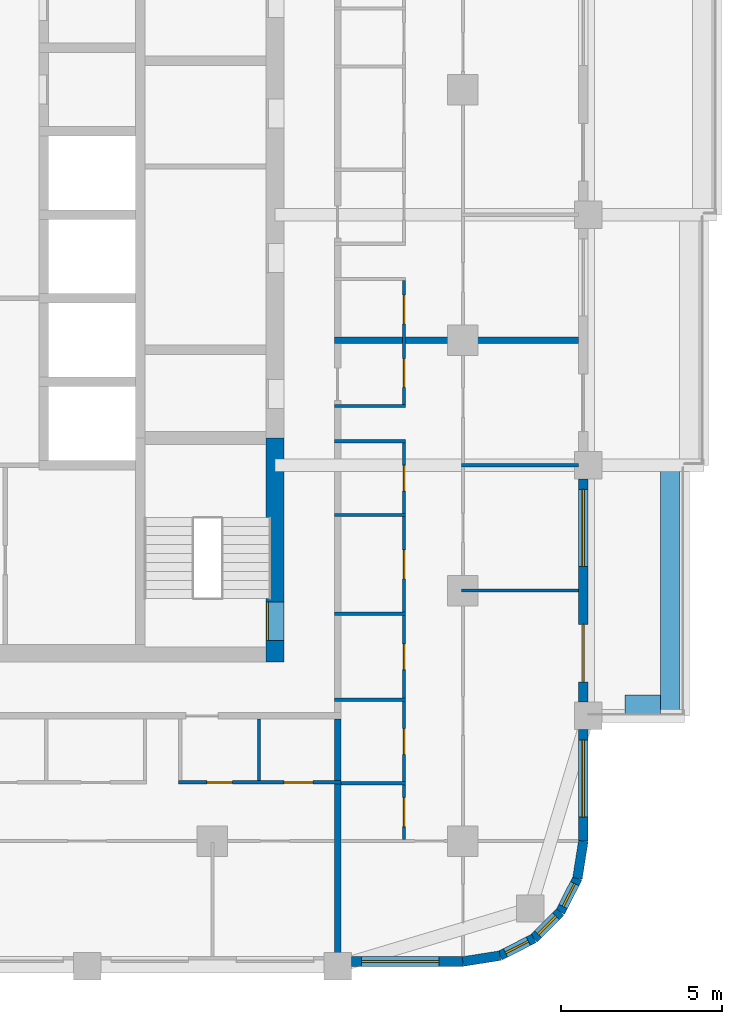
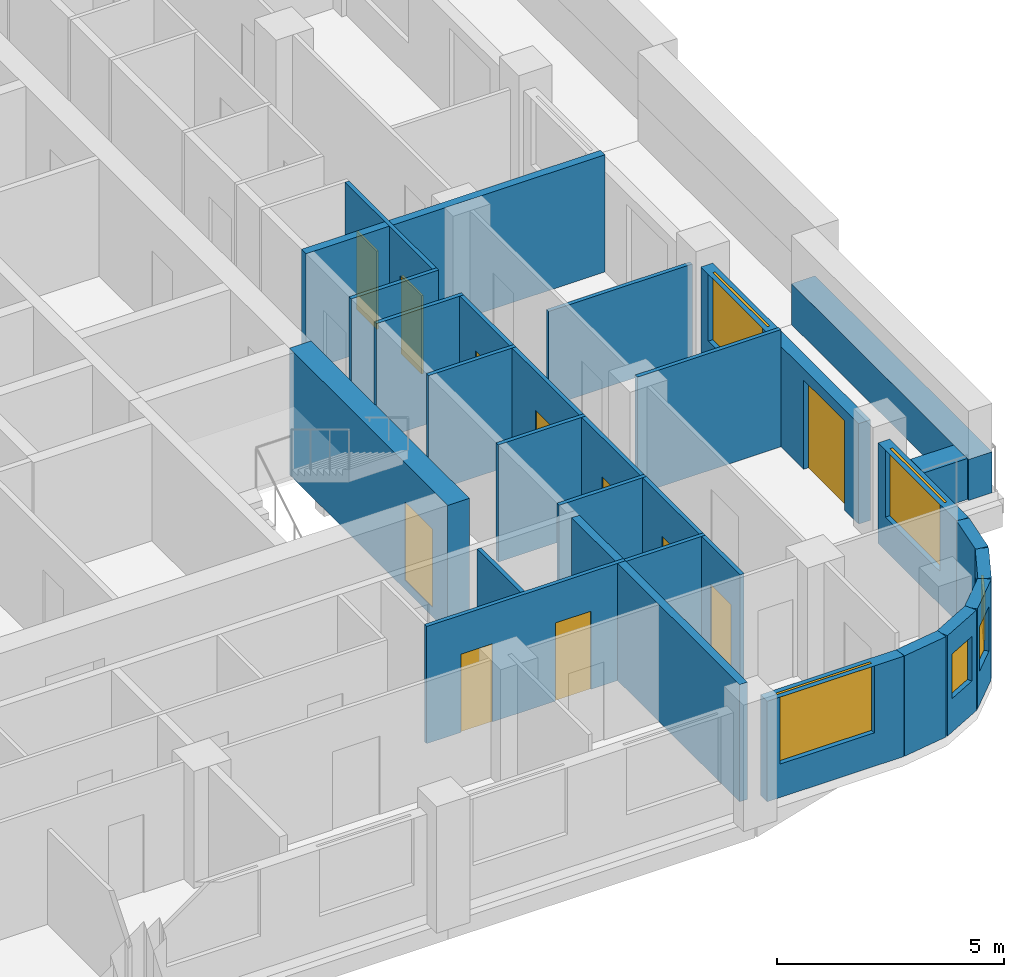
# One storey, part 6 of 13: 25 walls, 11 doors, 6 windows, 17 openings.
"""IFC4 building model written with IfcOpenShell, lengths in metres."""

from ifc_helpers import new_model, si_unit, direction, frame, frame_2d, origin, place, context, subcontext, project, spatial, rectangle, extrude, material, layer, layer_set, type_object, element, fill, save


model = new_model("IFC4")

# Units and contexts
model_context = context("Model", 3, precision=1e-05, world=origin(), true_north=direction((0.0, 1.0)))
body_context = subcontext(model_context, "Body", "Model", "MODEL_VIEW")
ifc_project = project(units=[si_unit("LENGTHUNIT", "METRE"), si_unit("AREAUNIT", "SQUARE_METRE"), si_unit("VOLUMEUNIT", "CUBIC_METRE"), si_unit("PLANEANGLEUNIT", "RADIAN"), si_unit("MASSUNIT", "GRAM", prefix="KILO")], contexts=[model_context])

# Site, building, storey
site_placement = place(None, origin())
site = spatial("IfcSite", under=ifc_project, at=site_placement, CompositionType="ELEMENT")
building_placement = place(site_placement, origin())
building = spatial("IfcBuilding", under=site, at=building_placement, Name="Ludao Terraces", CompositionType="ELEMENT")
storey_placement = place(building_placement, frame((0.0, 0.0, 127.10009765625)))
storey = spatial("IfcBuildingStorey", under=building, at=storey_placement, Name="L34", CompositionType="ELEMENT", Elevation=127.10009765625)

# Wall, opening, door
ifc_material_1 = material(Name="Concrete C60", Category="concrete")
ifc_layer_1 = layer(ifc_material_1, 0.550048828125)
ifc_layer_set_1 = layer_set([ifc_layer_1], Name="Core wall 550 C60")
wall_type_1 = type_object("IfcWallType", Name="Core wall 550 C60", PredefinedType="SOLIDWALL", material=ifc_layer_set_1)
wall_1_placement = place(storey_placement, frame((94.75, 54.97509765625, -0.25), z_axis=(0.0, 0.0, 1.0), x_axis=(0.0, 1.0, 0.0)))
wall_1 = element("IfcWall", 1, at=wall_1_placement, inside=storey, type_object=wall_type_1, Name="Core wall L34 outer-E-S3", PredefinedType="SOLIDWALL", context=body_context, shape_type="SweptSolid", body=[
    extrude(rectangle(XDim=6.974853515625, YDim=0.550048828125, at=frame_2d((3.4873046875, 0.0))), origin(), (0.0, 0.0, 1.0), 3.39990234375),
])
opening_1_placement = place(wall_1_placement, frame((0.675048828125, 0.0, 0.25)))
opening_1 = element("IfcOpeningElement", 2, at=opening_1_placement, cuts=wall_1, Name="Opening R10-029", PredefinedType="OPENING", context=body_context, shape_type="SweptSolid", body=[
    extrude(rectangle(XDim=1.199951171875, YDim=2.10009765625, at=frame_2d((0.60009765625, 1.050048828125))), frame((0.0, 0.28515625, 0.0), z_axis=(0.0, -1.0, 0.0), x_axis=(1.0, 0.0, 0.0)), (0.0, 0.0, 1.0), 0.570068359375),
])
ifc_material_2 = material(Name="Steel Q235", Category="steel")
door_type_1 = type_object("IfcDoorType", Name="INT Stair door 1200", OperationType="DOUBLE_DOOR_SINGLE_SWING", PredefinedType="DOOR", material=ifc_material_2)
door_1_placement = place(opening_1_placement, origin())
door_1 = element("IfcDoor", 3, at=door_1_placement, inside=storey, type_object=door_type_1, Name="DOOR 029", OperationType="DOUBLE_DOOR_SINGLE_SWING", OverallHeight=2.10009765625, OverallWidth=1.199951171875, PredefinedType="DOOR", context=body_context, shape_type="SweptSolid", body=[
    extrude(rectangle(XDim=1.199951171875, YDim=2.10009765625, at=frame_2d((0.60009765625, 1.050048828125))), frame((0.0, 0.26025390625, 0.0), z_axis=(0.0, -1.0, 0.0), x_axis=(1.0, 0.0, 0.0)), (0.0, 0.0, 1.0), 0.050048828125),
])
fill(opening_1, door_1)

# Walls
ifc_material_3 = material(Name="Concrete C40", Category="concrete")
ifc_layer_2 = layer(ifc_material_3, 0.60009765625)
ifc_layer_set_2 = layer_set([ifc_layer_2], Name="ENV Planter trough 600")
wall_type_2 = type_object("IfcWallType", Name="ENV Planter trough 600", PredefinedType="USERDEFINED", material=ifc_layer_set_2)
wall_2_placement = place(storey_placement, frame((107.050048828125, 53.300048828125, 0.0), z_axis=(0.0, 0.0, 1.0), x_axis=(0.0, 1.0, 0.0)))
element("IfcWall", 4, at=wall_2_placement, inside=storey, type_object=wall_type_2, Name="PL-L34-E1", ObjectType="PLANTER", PredefinedType="USERDEFINED", context=body_context, shape_type="SweptSolid", body=[
    extrude(rectangle(XDim=7.800048828125, YDim=0.60009765625, at=frame_2d((3.89990234375, 0.0))), origin(), (0.0, 0.0, 1.0), 1.099853515625),
])
wall_3_placement = place(storey_placement, frame((106.75, 53.64990234375, 0.0), z_axis=(0.0, 0.0, 1.0), x_axis=(-1.0, 0.0, 0.0)))
element("IfcWall", 5, at=wall_3_placement, inside=storey, type_object=wall_type_2, Name="PL-L34-E1-SA", ObjectType="PLANTER", PredefinedType="USERDEFINED", context=body_context, shape_type="SweptSolid", body=[
    extrude(rectangle(XDim=1.10009765625, YDim=0.60009765625, at=frame_2d((0.550048828125, 0.0))), origin(), (0.0, 0.0, 1.0), 1.099853515625),
])

# Wall, opening, window
ifc_material_4 = material(Name="Granite cladding", Category="masonry")
ifc_layer_3 = layer(ifc_material_4, 0.0400390625, Category="stone")
ifc_material_5 = material(Name="Mineral wool")
ifc_layer_4 = layer(ifc_material_5, 0.06005859375)
ifc_layer_5 = layer(ifc_material_3, 0.199951171875, Category="concrete")
ifc_layer_set_3 = layer_set([ifc_layer_3, ifc_layer_4, ifc_layer_5], Name="ENV Stone-clad wall 300")
wall_type_3 = type_object("IfcWallType", Name="ENV Stone-clad wall 300", PredefinedType="SOLIDWALL", material=ifc_layer_set_3)
wall_4_placement = place(storey_placement, frame((97.125, 45.64990234375, 0.0), z_axis=(0.0, 0.0, 1.0), x_axis=(1.0, 0.0, 0.0)))
wall_4 = element("IfcWall", 6, at=wall_4_placement, inside=storey, type_object=wall_type_3, Name="EW-L34-S5", PredefinedType="SOLIDWALL", context=body_context, shape_type="SweptSolid", body=[
    extrude(rectangle(XDim=3.47509765625, YDim=0.300048828125, at=frame_2d((1.737548828125, 0.0))), origin(), (0.0, 0.0, 1.0), 2.699951171875),
])
opening_2_placement = place(wall_4_placement, frame((0.324951171875, 0.0, 0.89990234375)))
opening_2 = element("IfcOpeningElement", 7, at=opening_2_placement, cuts=wall_4, Name="Opening W1", PredefinedType="OPENING", context=body_context, shape_type="SweptSolid", body=[
    extrude(rectangle(XDim=2.39990234375, YDim=1.800048828125, at=frame_2d((1.199951171875, 0.89990234375))), frame((0.0, 0.16015625, 0.0), z_axis=(0.0, -1.0, 0.0), x_axis=(1.0, 0.0, 0.0)), (0.0, 0.0, 1.0), 0.320068359375),
])
ifc_material_6 = material(Name="Clear glass in aluminium frame", Category="aluminium")
ifc_layer_6 = layer(ifc_material_6, 0.06005859375)
ifc_layer_set_4 = layer_set([ifc_layer_6], Name="ENV Window W1 2400x1800")
window_type_1 = type_object("IfcWindowType", Name="ENV Window W1 2400x1800", PartitioningType="DOUBLE_PANEL_VERTICAL", PredefinedType="WINDOW", material=ifc_layer_set_4)
window_1_placement = place(opening_2_placement, origin())
window_1 = element("IfcWindow", 8, at=window_1_placement, inside=storey, type_object=window_type_1, Name="W-L34-S5-1", OverallHeight=1.800048828125, OverallWidth=2.39990234375, PartitioningType="DOUBLE_PANEL_VERTICAL", PredefinedType="WINDOW", context=body_context, shape_type="SweptSolid", body=[
    extrude(rectangle(XDim=2.39990234375, YDim=1.800048828125, at=frame_2d((1.199951171875, 0.89990234375))), frame((0.0, 0.030029296875, 0.0), z_axis=(0.0, -1.0, 0.0), x_axis=(1.0, 0.0, 0.0)), (0.0, 0.0, 1.0), 0.06005859375),
])
fill(opening_2, window_1)

wall_5_placement = place(storey_placement, frame((104.35009765625, 49.39990234375, 0.0), z_axis=(0.0, 0.0, 1.0), x_axis=(0.0, 1.0, 0.0)))
wall_5 = element("IfcWall", 9, at=wall_5_placement, inside=storey, type_object=wall_type_3, Name="EW-L34-E1", PredefinedType="SOLIDWALL", context=body_context, shape_type="SweptSolid", body=[
    extrude(rectangle(XDim=3.47509765625, YDim=0.300048828125, at=frame_2d((1.737548828125, 0.0))), origin(), (0.0, 0.0, 1.0), 2.699951171875),
])
opening_3_placement = place(wall_5_placement, frame((0.75, 0.0, 0.89990234375)))
opening_3 = element("IfcOpeningElement", 10, at=opening_3_placement, cuts=wall_5, Name="Opening W1", PredefinedType="OPENING", context=body_context, shape_type="SweptSolid", body=[
    extrude(rectangle(XDim=2.39990234375, YDim=1.800048828125, at=frame_2d((1.199951171875, 0.89990234375))), frame((0.0, 0.16015625, 0.0), z_axis=(0.0, -1.0, 0.0), x_axis=(1.0, 0.0, 0.0)), (0.0, 0.0, 1.0), 0.320068359375),
])
window_2_placement = place(opening_3_placement, origin())
window_2 = element("IfcWindow", 11, at=window_2_placement, inside=storey, type_object=window_type_1, Name="W-L34-E1-1", OverallHeight=1.800048828125, OverallWidth=2.39990234375, PartitioningType="DOUBLE_PANEL_VERTICAL", PredefinedType="WINDOW", context=body_context, shape_type="SweptSolid", body=[
    extrude(rectangle(XDim=2.39990234375, YDim=1.800048828125, at=frame_2d((1.199951171875, 0.89990234375))), frame((0.0, 0.030029296875, 0.0), z_axis=(0.0, -1.0, 0.0), x_axis=(1.0, 0.0, 0.0)), (0.0, 0.0, 1.0), 0.06005859375),
])
fill(opening_3, window_2)

# Wall, openings, door, window
wall_6_placement = place(storey_placement, frame((104.35009765625, 53.72509765625, 0.0), z_axis=(0.0, 0.0, 1.0), x_axis=(0.0, 1.0, 0.0)))
wall_6 = element("IfcWall", 12, at=wall_6_placement, inside=storey, type_object=wall_type_3, Name="EW-L34-E2", PredefinedType="SOLIDWALL", context=body_context, shape_type="SweptSolid", body=[
    extrude(rectangle(XDim=6.949951171875, YDim=0.300048828125, at=frame_2d((3.47509765625, 0.0))), origin(), (0.0, 0.0, 1.0), 2.699951171875),
])
opening_4_placement = place(wall_6_placement, frame((0.625, 0.0, 0.0)))
opening_4 = element("IfcOpeningElement", 13, at=opening_4_placement, cuts=wall_6, Name="Opening BD", PredefinedType="OPENING", context=body_context, shape_type="SweptSolid", body=[
    extrude(rectangle(XDim=1.800048828125, YDim=2.39990234375, at=frame_2d((0.89990234375, 1.199951171875))), frame((0.0, 0.16015625, 0.0), z_axis=(0.0, -1.0, 0.0), x_axis=(1.0, 0.0, 0.0)), (0.0, 0.0, 1.0), 0.320068359375),
])
opening_5_placement = place(wall_6_placement, frame((4.22509765625, 0.0, 0.89990234375)))
opening_5 = element("IfcOpeningElement", 14, at=opening_5_placement, cuts=wall_6, Name="Opening W1", PredefinedType="OPENING", context=body_context, shape_type="SweptSolid", body=[
    extrude(rectangle(XDim=2.39990234375, YDim=1.800048828125, at=frame_2d((1.199951171875, 0.89990234375))), frame((0.0, 0.16015625, 0.0), z_axis=(0.0, -1.0, 0.0), x_axis=(1.0, 0.0, 0.0)), (0.0, 0.0, 1.0), 0.320068359375),
])
ifc_material_7 = material(Name="Aluminium glazed door", Category="aluminium")
ifc_layer_7 = layer(ifc_material_7, 0.06005859375)
ifc_layer_set_5 = layer_set([ifc_layer_7], Name="ENV Balcony door BD 1800x2400")
door_type_2 = type_object("IfcDoorType", Name="ENV Balcony door BD 1800x2400", OperationType="DOUBLE_DOOR_SINGLE_SWING", PredefinedType="DOOR", material=ifc_layer_set_5)
door_2_placement = place(opening_4_placement, origin())
door_2 = element("IfcDoor", 15, at=door_2_placement, inside=storey, type_object=door_type_2, Name="BD-L34-E2-1", OperationType="DOUBLE_DOOR_SINGLE_SWING", OverallHeight=2.39990234375, OverallWidth=1.800048828125, PredefinedType="DOOR", context=body_context, shape_type="SweptSolid", body=[
    extrude(rectangle(XDim=1.800048828125, YDim=2.39990234375, at=frame_2d((0.89990234375, 1.199951171875))), frame((0.0, 0.02490234375, 0.0), z_axis=(0.0, -1.0, 0.0), x_axis=(1.0, 0.0, 0.0)), (0.0, 0.0, 1.0), 0.050048828125),
])
fill(opening_4, door_2)
window_3_placement = place(opening_5_placement, origin())
window_3 = element("IfcWindow", 16, at=window_3_placement, inside=storey, type_object=window_type_1, Name="W-L34-E2-2", OverallHeight=1.800048828125, OverallWidth=2.39990234375, PartitioningType="DOUBLE_PANEL_VERTICAL", PredefinedType="WINDOW", context=body_context, shape_type="SweptSolid", body=[
    extrude(rectangle(XDim=2.39990234375, YDim=1.800048828125, at=frame_2d((1.199951171875, 0.89990234375))), frame((0.0, 0.030029296875, 0.0), z_axis=(0.0, -1.0, 0.0), x_axis=(1.0, 0.0, 0.0)), (0.0, 0.0, 1.0), 0.06005859375),
])
fill(opening_5, window_3)

# Wall
wall_7_placement = place(storey_placement, frame((100.60009765625, 45.64990234375, 0.0), z_axis=(0.0, 0.0, 1.0), x_axis=(0.987678452879, 0.156496880861, 0.0)))
element("IfcWall", 17, at=wall_7_placement, inside=storey, type_object=wall_type_3, Name="EW-L34-SE1", PredefinedType="SOLIDWALL", context=body_context, shape_type="SweptSolid", body=[
    extrude(rectangle(XDim=1.173095703125, YDim=0.300048828125, at=frame_2d((0.58642578125, 0.0))), origin(), (0.0, 0.0, 1.0), 2.699951171875),
])

# Wall, opening, window
wall_8_placement = place(storey_placement, frame((101.7587890625, 45.83349609375, 0.0), z_axis=(0.0, 0.0, 1.0), x_axis=(0.890988677504, 0.454025524128, 0.0)))
wall_8 = element("IfcWall", 18, at=wall_8_placement, inside=storey, type_object=wall_type_3, Name="EW-L34-SE2", PredefinedType="SOLIDWALL", context=body_context, shape_type="SweptSolid", body=[
    extrude(rectangle(XDim=1.17333984375, YDim=0.300048828125, at=frame_2d((0.586669921875, 0.0))), origin(), (0.0, 0.0, 1.0), 2.699951171875),
])
opening_6_placement = place(wall_8_placement, frame((0.1865234375, 0.0, 0.89990234375)))
opening_6 = element("IfcOpeningElement", 19, at=opening_6_placement, cuts=wall_8, Name="Opening W3", PredefinedType="OPENING", context=body_context, shape_type="SweptSolid", body=[
    extrude(rectangle(XDim=0.800048828125, YDim=1.199951171875, at=frame_2d((0.39990234375, 0.60009765625))), frame((0.0, 0.16015625, 0.0), z_axis=(0.0, -1.0, 0.0), x_axis=(1.0, 0.0, 0.0)), (0.0, 0.0, 1.0), 0.320068359375),
])
ifc_layer_8 = layer(ifc_material_6, 0.06005859375)
ifc_layer_set_6 = layer_set([ifc_layer_8], Name="ENV Window W3 800x1200")
window_type_2 = type_object("IfcWindowType", Name="ENV Window W3 800x1200", PartitioningType="SINGLE_PANEL", PredefinedType="WINDOW", material=ifc_layer_set_6)
window_4_placement = place(opening_6_placement, origin())
window_4 = element("IfcWindow", 20, at=window_4_placement, inside=storey, type_object=window_type_2, Name="W-L34-SE2", OverallHeight=1.199951171875, OverallWidth=0.800048828125, PartitioningType="SINGLE_PANEL", PredefinedType="WINDOW", context=body_context, shape_type="SweptSolid", body=[
    extrude(rectangle(XDim=0.800048828125, YDim=1.199951171875, at=frame_2d((0.39990234375, 0.60009765625))), frame((0.0, 0.030029296875, 0.0), z_axis=(0.0, -1.0, 0.0), x_axis=(1.0, 0.0, 0.0)), (0.0, 0.0, 1.0), 0.06005859375),
])
fill(opening_6, window_4)

wall_9_placement = place(storey_placement, frame((102.80419921875, 46.3662109375, 0.0), z_axis=(0.0, 0.0, 1.0), x_axis=(0.707106781187, 0.707106781187, 0.0)))
wall_9 = element("IfcWall", 21, at=wall_9_placement, inside=storey, type_object=wall_type_3, Name="EW-L34-SE3", PredefinedType="SOLIDWALL", context=body_context, shape_type="SweptSolid", body=[
    extrude(rectangle(XDim=1.173095703125, YDim=0.300048828125, at=frame_2d((0.58642578125, 0.0))), origin(), (0.0, 0.0, 1.0), 2.699951171875),
])
opening_7_placement = place(wall_9_placement, frame((0.1865234375, 0.0, 0.89990234375)))
opening_7 = element("IfcOpeningElement", 22, at=opening_7_placement, cuts=wall_9, Name="Opening W3", PredefinedType="OPENING", context=body_context, shape_type="SweptSolid", body=[
    extrude(rectangle(XDim=0.800048828125, YDim=1.199951171875, at=frame_2d((0.39990234375, 0.60009765625))), frame((0.0, 0.16015625, 0.0), z_axis=(0.0, -1.0, 0.0), x_axis=(1.0, 0.0, 0.0)), (0.0, 0.0, 1.0), 0.320068359375),
])
window_5_placement = place(opening_7_placement, origin())
window_5 = element("IfcWindow", 23, at=window_5_placement, inside=storey, type_object=window_type_2, Name="W-L34-SE3", OverallHeight=1.199951171875, OverallWidth=0.800048828125, PartitioningType="SINGLE_PANEL", PredefinedType="WINDOW", context=body_context, shape_type="SweptSolid", body=[
    extrude(rectangle(XDim=0.800048828125, YDim=1.199951171875, at=frame_2d((0.39990234375, 0.60009765625))), frame((0.0, 0.030029296875, 0.0), z_axis=(0.0, -1.0, 0.0), x_axis=(1.0, 0.0, 0.0)), (0.0, 0.0, 1.0), 0.06005859375),
])
fill(opening_7, window_5)

wall_10_placement = place(storey_placement, frame((103.6337890625, 47.19580078125, 0.0), z_axis=(0.0, 0.0, 1.0), x_axis=(0.454025524128, 0.890988677504, 0.0)))
wall_10 = element("IfcWall", 24, at=wall_10_placement, inside=storey, type_object=wall_type_3, Name="EW-L34-SE4", PredefinedType="SOLIDWALL", context=body_context, shape_type="SweptSolid", body=[
    extrude(rectangle(XDim=1.17333984375, YDim=0.300048828125, at=frame_2d((0.586669921875, 0.0))), origin(), (0.0, 0.0, 1.0), 2.699951171875),
])
opening_8_placement = place(wall_10_placement, frame((0.1865234375, 0.0, 0.89990234375)))
opening_8 = element("IfcOpeningElement", 25, at=opening_8_placement, cuts=wall_10, Name="Opening W3", PredefinedType="OPENING", context=body_context, shape_type="SweptSolid", body=[
    extrude(rectangle(XDim=0.800048828125, YDim=1.199951171875, at=frame_2d((0.39990234375, 0.60009765625))), frame((0.0, 0.16015625, 0.0), z_axis=(0.0, -1.0, 0.0), x_axis=(1.0, 0.0, 0.0)), (0.0, 0.0, 1.0), 0.320068359375),
])
window_6_placement = place(opening_8_placement, origin())
window_6 = element("IfcWindow", 26, at=window_6_placement, inside=storey, type_object=window_type_2, Name="W-L34-SE4", OverallHeight=1.199951171875, OverallWidth=0.800048828125, PartitioningType="SINGLE_PANEL", PredefinedType="WINDOW", context=body_context, shape_type="SweptSolid", body=[
    extrude(rectangle(XDim=0.800048828125, YDim=1.199951171875, at=frame_2d((0.39990234375, 0.60009765625))), frame((0.0, 0.030029296875, 0.0), z_axis=(0.0, -1.0, 0.0), x_axis=(1.0, 0.0, 0.0)), (0.0, 0.0, 1.0), 0.06005859375),
])
fill(opening_8, window_6)

# Walls
wall_11_placement = place(storey_placement, frame((104.16650390625, 48.2412109375, 0.0), z_axis=(0.0, 0.0, 1.0), x_axis=(0.156496880861, 0.987678452879, 0.0)))
element("IfcWall", 27, at=wall_11_placement, inside=storey, type_object=wall_type_3, Name="EW-L34-SE5", PredefinedType="SOLIDWALL", context=body_context, shape_type="SweptSolid", body=[
    extrude(rectangle(XDim=1.173095703125, YDim=0.300048828125, at=frame_2d((0.58642578125, 0.0))), origin(), (0.0, 0.0, 1.0), 2.699951171875),
])
ifc_material_8 = material(Name="Gypsum plasterboard", Category="gypsum")
ifc_layer_9 = layer(ifc_material_8, 0.012451171875, Category="gypsum")
ifc_layer_10 = layer(ifc_material_5, 0.06005859375, Name="insulation")
ifc_layer_11 = layer(ifc_material_2, 0.014892578125, Name="stud")
ifc_layer_12 = layer(ifc_material_8, 0.012451171875, Category="gypsum")
ifc_layer_set_7 = layer_set([ifc_layer_9, ifc_layer_10, ifc_layer_11, ifc_layer_12], Name="INT Partition 100")
wall_type_4 = type_object("IfcWallType", Name="INT Partition 100", PredefinedType="PARTITIONING", material=ifc_layer_set_7)
wall_12_placement = place(storey_placement, frame((96.800048828125, 51.199951171875, 0.0), z_axis=(0.0, 0.0, 1.0), x_axis=(1.0, 0.0, 0.0)))
element("IfcWall", 28, at=wall_12_placement, inside=storey, type_object=wall_type_4, Name="PW-L34-PW001", PredefinedType="PARTITIONING", context=body_context, shape_type="SweptSolid", body=[
    extrude(rectangle(XDim=2.02001953125, YDim=0.10009765625, at=frame_2d((1.010009765625, 0.0))), origin(), (0.0, 0.0, 1.0), 3.14990234375),
])

# Wall, openings, doors
wall_13_placement = place(storey_placement, frame((91.75, 51.22998046875, 0.0), z_axis=(0.0, 0.0, 1.0), x_axis=(1.0, 0.0, 0.0)))
wall_13 = element("IfcWall", 29, at=wall_13_placement, inside=storey, type_object=wall_type_4, Name="PW-L34-PW004", PredefinedType="PARTITIONING", context=body_context, shape_type="SweptSolid", body=[
    extrude(rectangle(XDim=5.050048828125, YDim=0.10009765625, at=frame_2d((2.52490234375, 0.0))), origin(), (0.0, 0.0, 1.0), 3.14990234375),
])
opening_9_placement = place(wall_13_placement, frame((0.875, 0.0, 0.0)))
opening_9 = element("IfcOpeningElement", 30, at=opening_9_placement, cuts=wall_13, Name="Opening R10-018", PredefinedType="OPENING", context=body_context, shape_type="SweptSolid", body=[
    extrude(rectangle(XDim=0.800048828125, YDim=2.10009765625, at=frame_2d((0.39990234375, 1.050048828125))), frame((0.0, 0.06005859375, 0.0), z_axis=(0.0, -1.0, 0.0), x_axis=(1.0, 0.0, 0.0)), (0.0, 0.0, 1.0), 0.1201171875),
])
opening_10_placement = place(wall_13_placement, frame((3.275146484375, 0.0, 0.0)))
opening_10 = element("IfcOpeningElement", 31, at=opening_10_placement, cuts=wall_13, Name="Opening R10-019", PredefinedType="OPENING", context=body_context, shape_type="SweptSolid", body=[
    extrude(rectangle(XDim=0.89990234375, YDim=2.10009765625, at=frame_2d((0.449951171875, 1.050048828125))), frame((0.0, 0.06005859375, 0.0), z_axis=(0.0, -1.0, 0.0), x_axis=(1.0, 0.0, 0.0)), (0.0, 0.0, 1.0), 0.1201171875),
])
ifc_material_9 = material(Name="Timber door leaf", Category="wood")
door_type_3 = type_object("IfcDoorType", Name="INT Bathroom door 900", OperationType="SINGLE_SWING_LEFT", PredefinedType="DOOR", material=ifc_material_9)
door_3_placement = place(opening_10_placement, origin())
door_3 = element("IfcDoor", 32, at=door_3_placement, inside=storey, type_object=door_type_3, Name="DOOR 019", OperationType="SINGLE_SWING_RIGHT", OverallHeight=2.10009765625, OverallWidth=0.89990234375, PredefinedType="DOOR", context=body_context, shape_type="SweptSolid", body=[
    extrude(rectangle(XDim=0.89990234375, YDim=2.10009765625, at=frame_2d((0.449951171875, 1.050048828125))), frame((0.0, 0.02490234375, 0.0), z_axis=(0.0, -1.0, 0.0), x_axis=(1.0, 0.0, 0.0)), (0.0, 0.0, 1.0), 0.050048828125),
])
fill(opening_10, door_3)
door_type_4 = type_object("IfcDoorType", Name="INT Store door 800", OperationType="SINGLE_SWING_LEFT", PredefinedType="DOOR", material=ifc_material_9)
door_4_placement = place(opening_9_placement, origin())
door_4 = element("IfcDoor", 33, at=door_4_placement, inside=storey, type_object=door_type_4, Name="DOOR 018", OperationType="SINGLE_SWING_LEFT", OverallHeight=2.10009765625, OverallWidth=0.800048828125, PredefinedType="DOOR", context=body_context, shape_type="SweptSolid", body=[
    extrude(rectangle(XDim=0.800048828125, YDim=2.10009765625, at=frame_2d((0.39990234375, 1.050048828125))), frame((0.0, 0.02490234375, 0.0), z_axis=(0.0, -1.0, 0.0), x_axis=(1.0, 0.0, 0.0)), (0.0, 0.0, 1.0), 0.050048828125),
])
fill(opening_9, door_4)

# Walls
for number, where, z_axis, x_axis, name in (
    (34, (96.60009765625, 53.800048828125, 0.0), (0.0, 0.0, 1.0), (1.0, 0.0, 0.0), "PW-L34-PW008"),
    (35, (96.60009765625, 56.47998046875, 0.0), (0.0, 0.0, 1.0), (1.0, 0.0, 0.0), "PW-L34-PW011"),
):
    element("IfcWall", number, at=place(storey_placement, frame(where, z_axis=z_axis, x_axis=x_axis)), inside=storey, type_object=wall_type_4, Name=name, PredefinedType="PARTITIONING", context=body_context, shape_type="SweptSolid", body=[
        extrude(rectangle(XDim=2.219970703125, YDim=0.10009765625, at=frame_2d((1.10986328125, 0.0))), origin(), (0.0, 0.0, 1.0), 3.14990234375),
    ])
wall_14_placement = place(storey_placement, frame((100.550048828125, 57.199951171875, 0.0), z_axis=(0.0, 0.0, 1.0), x_axis=(1.0, 0.0, 0.0)))
element("IfcWall", 36, at=wall_14_placement, inside=storey, type_object=wall_type_4, Name="PW-L34-PW013", PredefinedType="PARTITIONING", context=body_context, shape_type="SweptSolid", body=[
    extrude(rectangle(XDim=3.650146484375, YDim=0.10009765625, at=frame_2d((1.8251953125, 0.0))), origin(), (0.0, 0.0, 1.0), 3.14990234375),
])
wall_15_placement = place(storey_placement, frame((96.60009765625, 59.550048828125, 0.0), z_axis=(0.0, 0.0, 1.0), x_axis=(1.0, 0.0, 0.0)))
element("IfcWall", 37, at=wall_15_placement, inside=storey, type_object=wall_type_4, Name="PW-L34-PW015", PredefinedType="PARTITIONING", context=body_context, shape_type="SweptSolid", body=[
    extrude(rectangle(XDim=2.219970703125, YDim=0.10009765625, at=frame_2d((1.10986328125, 0.0))), origin(), (0.0, 0.0, 1.0), 3.14990234375),
])
wall_16_placement = place(storey_placement, frame((100.550048828125, 61.10009765625, 0.0), z_axis=(0.0, 0.0, 1.0), x_axis=(1.0, 0.0, 0.0)))
element("IfcWall", 38, at=wall_16_placement, inside=storey, type_object=wall_type_4, Name="PW-L34-PW018", PredefinedType="PARTITIONING", context=body_context, shape_type="SweptSolid", body=[
    extrude(rectangle(XDim=3.650146484375, YDim=0.10009765625, at=frame_2d((1.8251953125, 0.0))), origin(), (0.0, 0.0, 1.0), 2.5498046875),
])
for number, where, z_axis, x_axis, name in (
    (39, (96.60009765625, 61.85009765625, 0.0), (0.0, 0.0, 1.0), (1.0, 0.0, 0.0), "PW-L34-PW019"),
    (40, (96.60009765625, 62.949951171875, 0.0), (0.0, 0.0, 1.0), (1.0, 0.0, 0.0), "PW-L34-PW020"),
):
    element("IfcWall", number, at=place(storey_placement, frame(where, z_axis=z_axis, x_axis=x_axis)), inside=storey, type_object=wall_type_4, Name=name, PredefinedType="PARTITIONING", context=body_context, shape_type="SweptSolid", body=[
        extrude(rectangle(XDim=2.219970703125, YDim=0.10009765625, at=frame_2d((1.10986328125, 0.0))), origin(), (0.0, 0.0, 1.0), 3.14990234375),
    ])
wall_17_placement = place(storey_placement, frame((94.25, 51.280029296875, 0.0), z_axis=(0.0, 0.0, 1.0), x_axis=(0.0, 1.0, 0.0)))
element("IfcWall", 41, at=wall_17_placement, inside=storey, type_object=wall_type_4, Name="PW-L34-PW065", PredefinedType="PARTITIONING", context=body_context, shape_type="SweptSolid", body=[
    extrude(rectangle(XDim=1.920166015625, YDim=0.10009765625, at=frame_2d((0.9599609375, 0.0))), origin(), (0.0, 0.0, 1.0), 3.14990234375),
])

# Wall, openings, doors
wall_18_placement = place(storey_placement, frame((98.77001953125, 49.4501953125, 0.0), z_axis=(0.0, 0.0, 1.0), x_axis=(0.0, 1.0, 0.0)))
wall_18 = element("IfcWall", 42, at=wall_18_placement, inside=storey, type_object=wall_type_4, Name="PW-L34-PW068", PredefinedType="PARTITIONING", context=body_context, shape_type="SweptSolid", body=[
    extrude(rectangle(XDim=12.349853515625, YDim=0.10009765625, at=frame_2d((6.1748046875, 0.0))), origin(), (0.0, 0.0, 1.0), 3.14990234375),
])
opening_11_placement = place(wall_18_placement, frame((0.39990234375, 0.0, 0.0)))
opening_11 = element("IfcOpeningElement", 43, at=opening_11_placement, cuts=wall_18, Name="Opening R10-010", PredefinedType="OPENING", context=body_context, shape_type="SweptSolid", body=[
    extrude(rectangle(XDim=0.89990234375, YDim=2.10009765625, at=frame_2d((0.449951171875, 1.050048828125))), frame((0.0, 0.06005859375, 0.0), z_axis=(0.0, -1.0, 0.0), x_axis=(1.0, 0.0, 0.0)), (0.0, 0.0, 1.0), 0.1201171875),
])
opening_12_placement = place(wall_18_placement, frame((2.64990234375, 0.0, 0.0)))
opening_12 = element("IfcOpeningElement", 44, at=opening_12_placement, cuts=wall_18, Name="Opening R10-021", PredefinedType="OPENING", context=body_context, shape_type="SweptSolid", body=[
    extrude(rectangle(XDim=0.800048828125, YDim=2.10009765625, at=frame_2d((0.39990234375, 1.050048828125))), frame((0.0, 0.06005859375, 0.0), z_axis=(0.0, -1.0, 0.0), x_axis=(1.0, 0.0, 0.0)), (0.0, 0.0, 1.0), 0.1201171875),
])
opening_13_placement = place(wall_18_placement, frame((5.289794921875, 0.0, 0.0)))
opening_13 = element("IfcOpeningElement", 45, at=opening_13_placement, cuts=wall_18, Name="Opening R10-026", PredefinedType="OPENING", context=body_context, shape_type="SweptSolid", body=[
    extrude(rectangle(XDim=0.800048828125, YDim=2.10009765625, at=frame_2d((0.39990234375, 1.050048828125))), frame((0.0, 0.06005859375, 0.0), z_axis=(0.0, -1.0, 0.0), x_axis=(1.0, 0.0, 0.0)), (0.0, 0.0, 1.0), 0.1201171875),
])
opening_14_placement = place(wall_18_placement, frame((8.114990234375, 0.0, 0.0)))
opening_14 = element("IfcOpeningElement", 46, at=opening_14_placement, cuts=wall_18, Name="Opening R10-032", PredefinedType="OPENING", context=body_context, shape_type="SweptSolid", body=[
    extrude(rectangle(XDim=0.89990234375, YDim=2.10009765625, at=frame_2d((0.449951171875, 1.050048828125))), frame((0.0, 0.06005859375, 0.0), z_axis=(0.0, -1.0, 0.0), x_axis=(1.0, 0.0, 0.0)), (0.0, 0.0, 1.0), 0.1201171875),
])
opening_15_placement = place(wall_18_placement, frame((10.849853515625, 0.0, 0.0)))
opening_15 = element("IfcOpeningElement", 47, at=opening_15_placement, cuts=wall_18, Name="Opening R10-037", PredefinedType="OPENING", context=body_context, shape_type="SweptSolid", body=[
    extrude(rectangle(XDim=0.800048828125, YDim=2.10009765625, at=frame_2d((0.39990234375, 1.050048828125))), frame((0.0, 0.06005859375, 0.0), z_axis=(0.0, -1.0, 0.0), x_axis=(1.0, 0.0, 0.0)), (0.0, 0.0, 1.0), 0.1201171875),
])
door_5_placement = place(opening_11_placement, origin())
door_5 = element("IfcDoor", 48, at=door_5_placement, inside=storey, type_object=door_type_3, Name="DOOR 010", OperationType="SINGLE_SWING_LEFT", OverallHeight=2.10009765625, OverallWidth=0.89990234375, PredefinedType="DOOR", context=body_context, shape_type="SweptSolid", body=[
    extrude(rectangle(XDim=0.89990234375, YDim=2.10009765625, at=frame_2d((0.449951171875, 1.050048828125))), frame((0.0, 0.02490234375, 0.0), z_axis=(0.0, -1.0, 0.0), x_axis=(1.0, 0.0, 0.0)), (0.0, 0.0, 1.0), 0.050048828125),
])
fill(opening_11, door_5)
door_type_5 = type_object("IfcDoorType", Name="INT Room door 900", OperationType="SINGLE_SWING_LEFT", PredefinedType="DOOR", material=ifc_material_9)
door_6_placement = place(opening_14_placement, origin())
door_6 = element("IfcDoor", 49, at=door_6_placement, inside=storey, type_object=door_type_5, Name="DOOR 032", OperationType="SINGLE_SWING_LEFT", OverallHeight=2.10009765625, OverallWidth=0.89990234375, PredefinedType="DOOR", context=body_context, shape_type="SweptSolid", body=[
    extrude(rectangle(XDim=0.89990234375, YDim=2.10009765625, at=frame_2d((0.449951171875, 1.050048828125))), frame((0.0, 0.02490234375, 0.0), z_axis=(0.0, -1.0, 0.0), x_axis=(1.0, 0.0, 0.0)), (0.0, 0.0, 1.0), 0.050048828125),
])
fill(opening_14, door_6)
door_7_placement = place(opening_12_placement, origin())
door_7 = element("IfcDoor", 50, at=door_7_placement, inside=storey, type_object=door_type_4, Name="DOOR 021", OperationType="SINGLE_SWING_LEFT", OverallHeight=2.10009765625, OverallWidth=0.800048828125, PredefinedType="DOOR", context=body_context, shape_type="SweptSolid", body=[
    extrude(rectangle(XDim=0.800048828125, YDim=2.10009765625, at=frame_2d((0.39990234375, 1.050048828125))), frame((0.0, 0.02490234375, 0.0), z_axis=(0.0, -1.0, 0.0), x_axis=(1.0, 0.0, 0.0)), (0.0, 0.0, 1.0), 0.050048828125),
])
fill(opening_12, door_7)
door_8_placement = place(opening_13_placement, origin())
door_8 = element("IfcDoor", 51, at=door_8_placement, inside=storey, type_object=door_type_4, Name="DOOR 026", OperationType="SINGLE_SWING_LEFT", OverallHeight=2.10009765625, OverallWidth=0.800048828125, PredefinedType="DOOR", context=body_context, shape_type="SweptSolid", body=[
    extrude(rectangle(XDim=0.800048828125, YDim=2.10009765625, at=frame_2d((0.39990234375, 1.050048828125))), frame((0.0, 0.02490234375, 0.0), z_axis=(0.0, -1.0, 0.0), x_axis=(1.0, 0.0, 0.0)), (0.0, 0.0, 1.0), 0.050048828125),
])
fill(opening_13, door_8)
door_9_placement = place(opening_15_placement, origin())
door_9 = element("IfcDoor", 52, at=door_9_placement, inside=storey, type_object=door_type_4, Name="DOOR 037", OperationType="SINGLE_SWING_RIGHT", OverallHeight=2.10009765625, OverallWidth=0.800048828125, PredefinedType="DOOR", context=body_context, shape_type="SweptSolid", body=[
    extrude(rectangle(XDim=0.800048828125, YDim=2.10009765625, at=frame_2d((0.39990234375, 1.050048828125))), frame((0.0, 0.02490234375, 0.0), z_axis=(0.0, -1.0, 0.0), x_axis=(1.0, 0.0, 0.0)), (0.0, 0.0, 1.0), 0.050048828125),
])
fill(opening_15, door_9)

wall_19_placement = place(storey_placement, frame((98.77001953125, 63.0, 0.0), z_axis=(0.0, 0.0, 1.0), x_axis=(0.0, 1.0, 0.0)))
wall_19 = element("IfcWall", 53, at=wall_19_placement, inside=storey, type_object=wall_type_4, Name="PW-L34-PW069", PredefinedType="PARTITIONING", context=body_context, shape_type="SweptSolid", body=[
    extrude(rectangle(XDim=3.85009765625, YDim=0.10009765625, at=frame_2d((1.925048828125, 0.0))), origin(), (0.0, 0.0, 1.0), 3.14990234375),
])
opening_16_placement = place(wall_19_placement, frame((0.525146484375, 0.0, 0.0)))
opening_16 = element("IfcOpeningElement", 54, at=opening_16_placement, cuts=wall_19, Name="Opening R10-045", PredefinedType="OPENING", context=body_context, shape_type="SweptSolid", body=[
    extrude(rectangle(XDim=0.89990234375, YDim=2.10009765625, at=frame_2d((0.449951171875, 1.050048828125))), frame((0.0, 0.06005859375, 0.0), z_axis=(0.0, -1.0, 0.0), x_axis=(1.0, 0.0, 0.0)), (0.0, 0.0, 1.0), 0.1201171875),
])
opening_17_placement = place(wall_19_placement, frame((2.5, 0.0, 0.0)))
opening_17 = element("IfcOpeningElement", 55, at=opening_17_placement, cuts=wall_19, Name="Opening R10-048", PredefinedType="OPENING", context=body_context, shape_type="SweptSolid", body=[
    extrude(rectangle(XDim=0.89990234375, YDim=2.10009765625, at=frame_2d((0.449951171875, 1.050048828125))), frame((0.0, 0.06005859375, 0.0), z_axis=(0.0, -1.0, 0.0), x_axis=(1.0, 0.0, 0.0)), (0.0, 0.0, 1.0), 0.1201171875),
])
door_10_placement = place(opening_16_placement, origin())
door_10 = element("IfcDoor", 56, at=door_10_placement, inside=storey, type_object=door_type_3, Name="DOOR 045", OperationType="SINGLE_SWING_RIGHT", OverallHeight=2.10009765625, OverallWidth=0.89990234375, PredefinedType="DOOR", context=body_context, shape_type="SweptSolid", body=[
    extrude(rectangle(XDim=0.89990234375, YDim=2.10009765625, at=frame_2d((0.449951171875, 1.050048828125))), frame((0.0, 0.02490234375, 0.0), z_axis=(0.0, -1.0, 0.0), x_axis=(1.0, 0.0, 0.0)), (0.0, 0.0, 1.0), 0.050048828125),
])
fill(opening_16, door_10)
door_11_placement = place(opening_17_placement, origin())
door_11 = element("IfcDoor", 57, at=door_11_placement, inside=storey, type_object=door_type_3, Name="DOOR 048", OperationType="SINGLE_SWING_LEFT", OverallHeight=2.10009765625, OverallWidth=0.89990234375, PredefinedType="DOOR", context=body_context, shape_type="SweptSolid", body=[
    extrude(rectangle(XDim=0.89990234375, YDim=2.10009765625, at=frame_2d((0.449951171875, 1.050048828125))), frame((0.0, 0.02490234375, 0.0), z_axis=(0.0, -1.0, 0.0), x_axis=(1.0, 0.0, 0.0)), (0.0, 0.0, 1.0), 0.050048828125),
])
fill(opening_17, door_11)

# Walls
ifc_material_10 = material(Name="Autoclaved aerated concrete block B06 A3.5", Category="concrete")
ifc_layer_13 = layer(ifc_material_10, 0.199951171875)
ifc_layer_set_8 = layer_set([ifc_layer_13], Name="INT Party wall 200")
wall_type_5 = type_object("IfcWallType", Name="INT Party wall 200", PredefinedType="PARTITIONING", material=ifc_layer_set_8)
wall_20_placement = place(storey_placement, frame((96.60009765625, 65.0, 0.0), z_axis=(0.0, 0.0, 1.0), x_axis=(1.0, 0.0, 0.0)))
element("IfcWall", 58, at=wall_20_placement, inside=storey, type_object=wall_type_5, Name="PW-L34-PW022", PredefinedType="PARTITIONING", context=body_context, shape_type="SweptSolid", body=[
    extrude(rectangle(XDim=7.60009765625, YDim=0.199951171875, at=frame_2d((3.800048828125, 0.0))), origin(), (0.0, 0.0, 1.0), 3.14990234375),
])
wall_21_placement = place(storey_placement, frame((96.699951171875, 45.800048828125, 0.0), z_axis=(0.0, 0.0, 1.0), x_axis=(0.0, 1.0, 0.0)))
element("IfcWall", 59, at=wall_21_placement, inside=storey, type_object=wall_type_5, Name="PW-L34-PW066", PredefinedType="PARTITIONING", context=body_context, shape_type="SweptSolid", body=[
    extrude(rectangle(XDim=7.400146484375, YDim=0.199951171875, at=frame_2d((3.7001953125, 0.0))), origin(), (0.0, 0.0, 1.0), 3.14990234375),
])

save(model, "model.ifc")
